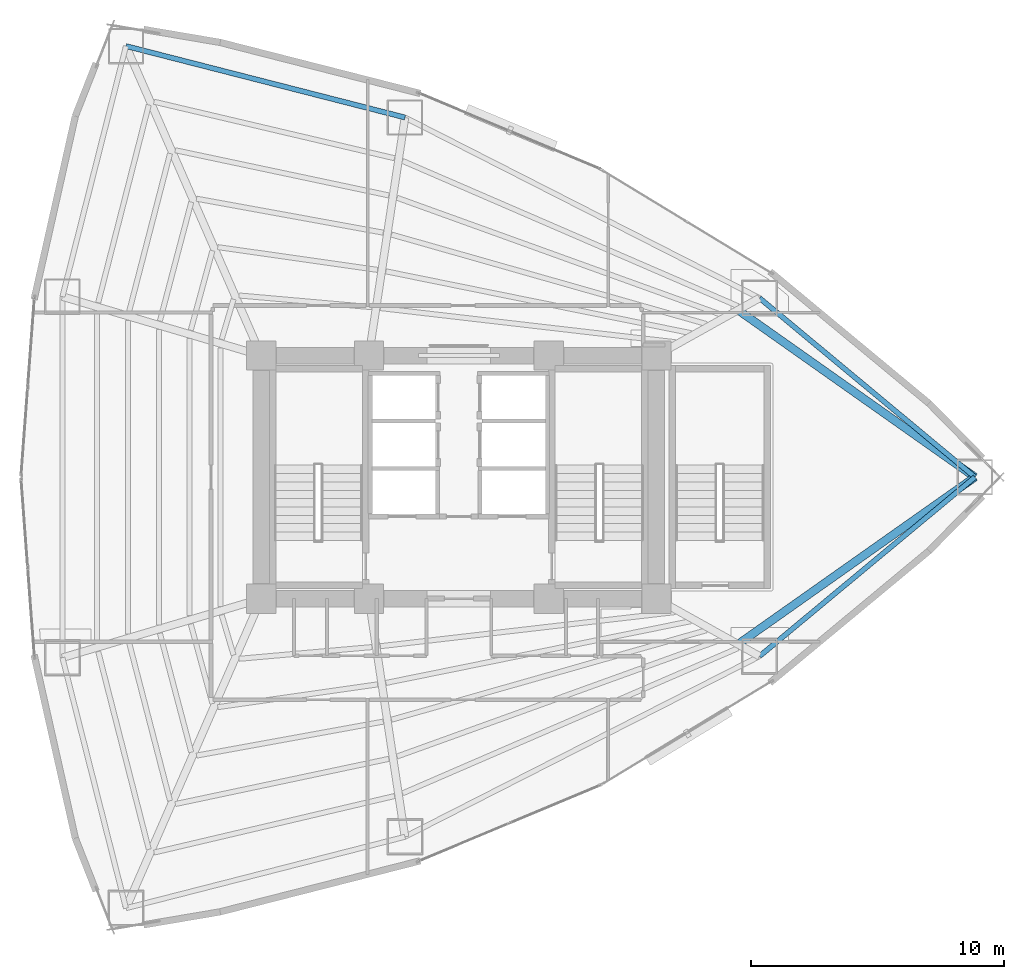
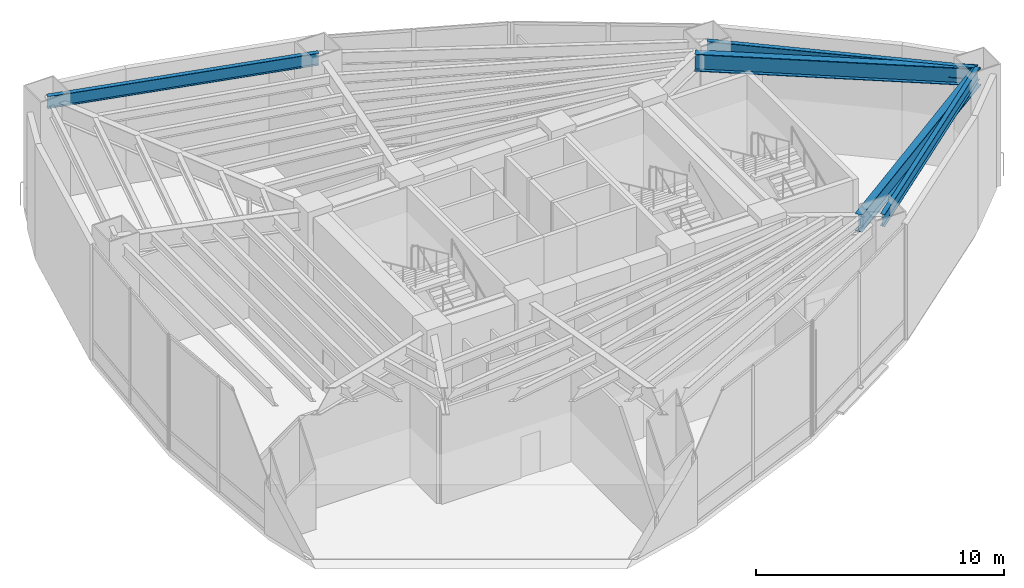
# One storey, part 11 of 19: 5 beams.
"""IFC4 building model written with IfcOpenShell, lengths in metres."""

from ifc_helpers import new_model, si_unit, direction, frame, origin, origin_2d, place, context, subcontext, project, spatial, i_section, extrude, material, material_profile, profile_set, type_object, element, save


model = new_model("IFC4")

# Units and contexts
model_context = context("Model", 3, precision=1e-05, world=origin(), true_north=direction((0.0, 1.0)))
body_context = subcontext(model_context, "Body", "Model", "MODEL_VIEW")
ifc_project = project(units=[si_unit("LENGTHUNIT", "METRE"), si_unit("AREAUNIT", "SQUARE_METRE"), si_unit("VOLUMEUNIT", "CUBIC_METRE"), si_unit("PLANEANGLEUNIT", "RADIAN"), si_unit("MASSUNIT", "GRAM", prefix="KILO")], contexts=[model_context])

# Site, building, storey
site_placement = place(None, origin())
site = spatial("IfcSite", under=ifc_project, at=site_placement, CompositionType="ELEMENT")
building_placement = place(site_placement, origin())
building = spatial("IfcBuilding", under=site, at=building_placement, Name="Menara Vayukalpa", CompositionType="ELEMENT")
storey_placement = place(building_placement, frame((0.0, 0.0, 12.0)))
storey = spatial("IfcBuildingStorey", under=building, at=storey_placement, Name="L02", CompositionType="ELEMENT", Elevation=12.0)

# Beams
ifc_material_1 = material(Name="Steel S355", Category="steel")
ifc_material_profile_1 = material_profile(ifc_material_1, i_section(OverallWidth=0.320068359375, OverallDepth=0.85009765625, WebThickness=0.01611328125, FlangeThickness=0.030029296875, at=origin_2d()), Name="WF 850x320x16x30")
ifc_profile_set_1 = profile_set([ifc_material_profile_1], Name="Steel S355")
beam_type_1 = type_object("IfcBeamType", Name="BM-PG2", PredefinedType="BEAM", material=ifc_profile_set_1)
for number, where, z_axis, x_axis, name in (
    (1, (36.625732421875, 15.40185546875, 5.2548828125), (0.817146335257, 0.576430279198, 0.0), (-0.576430279198, 0.817146335257, 0.0), "L02 Podium Sky Terrace South Transfer Beam"),
    (2, (45.979248046875, 22.0, 5.2548828125), (-0.817146335257, 0.576430279198, 0.0), (-0.576430279198, -0.817146335257, 0.0), "L02 Podium Sky Terrace North Transfer Beam"),
):
    element("IfcBeam", number, at=place(storey_placement, frame(where, z_axis=z_axis, x_axis=x_axis)), inside=storey, type_object=beam_type_1, Name=name, PredefinedType="BEAM", context=body_context, shape_type="SweptSolid", body=[
        extrude(i_section(OverallWidth=0.320068359375, OverallDepth=0.85009765625, WebThickness=0.01611328125, FlangeThickness=0.030029296875, at=origin_2d()), origin(), (0.0, 0.0, 1.0), 11.446533203125),
    ])
ifc_material_2 = material(Name="Steel S355", Category="steel")
ifc_material_profile_2 = material_profile(ifc_material_2, i_section(OverallWidth=0.199951171875, OverallDepth=0.60009765625, WebThickness=0.010986328125, FlangeThickness=0.01708984375, at=origin_2d()), Name="WF 600x200x11x17")
ifc_profile_set_2 = profile_set([ifc_material_profile_2], Name="Steel S355")
beam_type_2 = type_object("IfcBeamType", Name="BM-SP1", PredefinedType="SPANDREL", material=ifc_profile_set_2)
beam_1_placement = place(storey_placement, frame((45.979248046875, 22.0, 5.3798828125), z_axis=(-0.768967992195, 0.639287280477, 0.0), x_axis=(-0.639287280477, -0.768967992195, 0.0)))
element("IfcBeam", 3, at=beam_1_placement, inside=storey, type_object=beam_type_2, Name="L02 Perimeter Spandrel Beam SP01", PredefinedType="SPANDREL", context=body_context, shape_type="SweptSolid", body=[
    extrude(i_section(OverallWidth=0.199951171875, OverallDepth=0.60009765625, WebThickness=0.010986328125, FlangeThickness=0.01708984375, at=origin_2d()), origin(), (0.0, 0.0, 1.0), 11.060546875),
])
beam_2_placement = place(storey_placement, frame((23.4755859375, 36.19970703125, 5.3798828125), z_axis=(-0.968770804637, 0.247957915953, 0.0), x_axis=(-0.247957915953, -0.968770804637, 0.0)))
element("IfcBeam", 4, at=beam_2_placement, inside=storey, type_object=beam_type_2, Name="L02 Perimeter Spandrel Beam SP03", PredefinedType="SPANDREL", context=body_context, shape_type="SweptSolid", body=[
    extrude(i_section(OverallWidth=0.199951171875, OverallDepth=0.60009765625, WebThickness=0.010986328125, FlangeThickness=0.01708984375, at=origin_2d()), origin(), (0.0, 0.0, 1.0), 11.3701171875),
])
beam_3_placement = place(storey_placement, frame((37.47412109375, 14.92919921875, 5.3798828125), z_axis=(0.768967992195, 0.639287280477, 0.0), x_axis=(-0.639287280477, 0.768967992195, 0.0)))
element("IfcBeam", 5, at=beam_3_placement, inside=storey, type_object=beam_type_2, Name="L02 Perimeter Spandrel Beam SP09", PredefinedType="SPANDREL", context=body_context, shape_type="SweptSolid", body=[
    extrude(i_section(OverallWidth=0.199951171875, OverallDepth=0.60009765625, WebThickness=0.010986328125, FlangeThickness=0.01708984375, at=origin_2d()), origin(), (0.0, 0.0, 1.0), 11.060546875),
])

save(model, "model.ifc")
